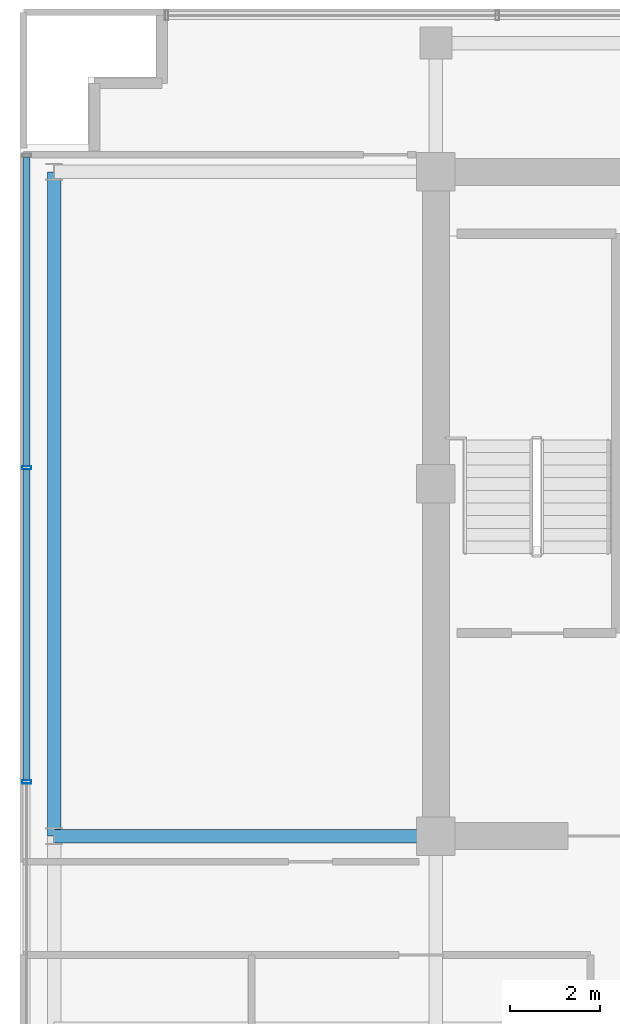
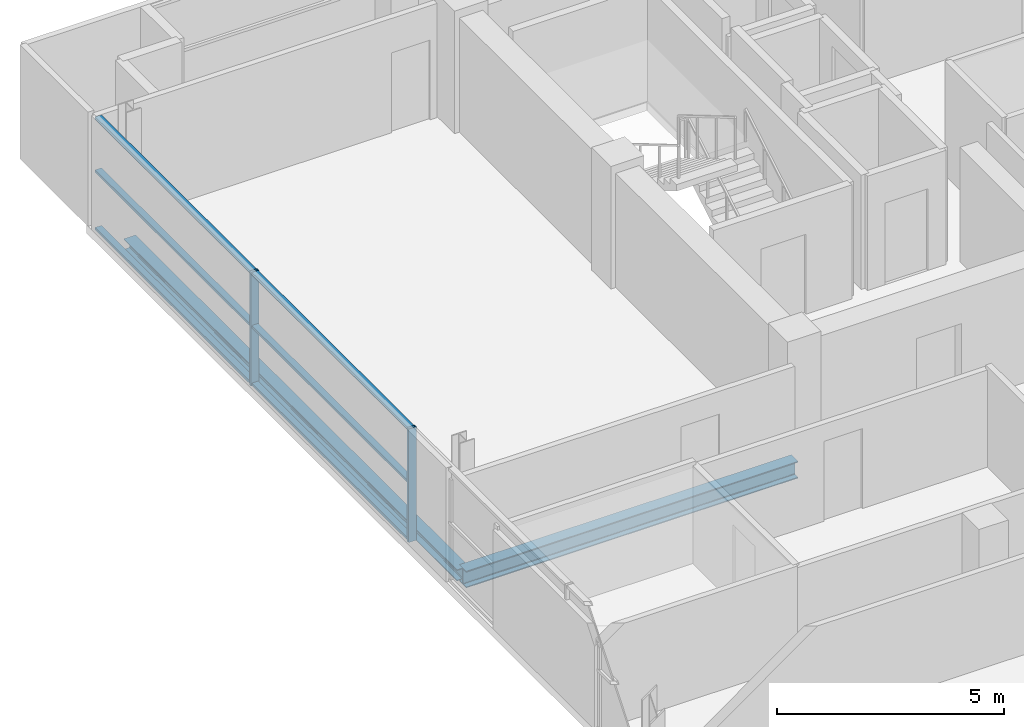
# One storey, part 9 of 23: 8 members, 2 beams, 1 element without a shape of its own.
"""IFC4 building model written with IfcOpenShell, lengths in metres."""

from ifc_helpers import new_model, si_unit, direction, frame, origin, origin_2d, place, context, subcontext, project, spatial, hollow_rectangle, i_section, extrude, source, transform, mapped, material, layer, layer_set, material_profile, profile_set, type_object, element, aggregate, save


model = new_model("IFC4")

# Units and contexts
model_context = context("Model", 3, precision=1e-05, world=origin(), true_north=direction((0.0, 1.0)))
body_context = subcontext(model_context, "Body", "Model", "MODEL_VIEW")
ifc_project = project(units=[si_unit("LENGTHUNIT", "METRE"), si_unit("AREAUNIT", "SQUARE_METRE"), si_unit("VOLUMEUNIT", "CUBIC_METRE"), si_unit("PLANEANGLEUNIT", "RADIAN"), si_unit("MASSUNIT", "GRAM", prefix="KILO")], contexts=[model_context])

# Site, building, storey
site_placement = place(None, origin())
site = spatial("IfcSite", under=ifc_project, at=site_placement, CompositionType="ELEMENT")
building_placement = place(site_placement, origin())
building = spatial("IfcBuilding", under=site, at=building_placement, Name="Zarnakvel Exchange Tower", CompositionType="ELEMENT")
storey_placement = place(building_placement, frame((0.0, 0.0, 212.199951171875)))
storey = spatial("IfcBuildingStorey", under=building, at=storey_placement, Name="L59", CompositionType="ELEMENT", Elevation=212.199951171875)

# Beams
ifc_material_1 = material(Name="Steel S355", Category="steel")
ifc_material_profile_1 = material_profile(ifc_material_1, i_section(OverallWidth=0.300048828125, OverallDepth=0.449951171875, WebThickness=0.013916015625, FlangeThickness=0.02587890625, FilletRadius=0.027099609375, at=origin_2d()))
ifc_profile_set_1 = profile_set([ifc_material_profile_1], Name="Steel S355")
beam_type_1 = type_object("IfcBeamType", Name="G-07", PredefinedType="BEAM", material=ifc_profile_set_1)
beam_1_placement = place(storey_placement, frame((-22.85009765625, -1.199951171875, -0.449951171875), z_axis=(1.0, 0.0, 0.0), x_axis=(0.0, 1.0, 0.0)))
element("IfcBeam", 1, at=beam_1_placement, inside=storey, type_object=beam_type_1, Name="L59 Tower E-W Frame Beam", PredefinedType="BEAM", context=body_context, shape_type="SweptSolid", body=[
    extrude(i_section(OverallWidth=0.300048828125, OverallDepth=0.449951171875, WebThickness=0.013916015625, FlangeThickness=0.02587890625, FilletRadius=0.027099609375, at=origin_2d()), origin(), (0.0, 0.0, 1.0), 8.4501953125),
])
ifc_material_profile_2 = material_profile(ifc_material_1, i_section(OverallWidth=0.300048828125, OverallDepth=0.300048828125, WebThickness=0.010986328125, FlangeThickness=0.01904296875, FilletRadius=0.027099609375, at=origin_2d()))
ifc_profile_set_2 = profile_set([ifc_material_profile_2], Name="Steel S355")
beam_type_2 = type_object("IfcBeamType", Name="SP-03", PredefinedType="SPANDREL", material=ifc_profile_set_2)
beam_2_placement = place(storey_placement, frame((-22.85009765625, -1.199951171875, -0.375), z_axis=(0.0, 1.0, 0.0), x_axis=(-1.0, 0.0, 0.0)))
element("IfcBeam", 2, at=beam_2_placement, inside=storey, type_object=beam_type_2, Name="L59 Tower N-S Frame Beam", PredefinedType="SPANDREL", context=body_context, shape_type="SweptSolid", body=[
    extrude(i_section(OverallWidth=0.300048828125, OverallDepth=0.300048828125, WebThickness=0.010986328125, FlangeThickness=0.01904296875, FilletRadius=0.027099609375, at=origin_2d()), origin(), (0.0, 0.0, 1.0), 14.699951171875),
])

# Curtain wall, members
ifc_material_2 = material(Name="Architectural Bronze Anodised Aluminium", Category="aluminium")
ifc_layer = layer(ifc_material_2, 0.199951171875)
ifc_layer_set = layer_set([ifc_layer], Name="Architectural Bronze Anodised Aluminium")
curtain_wall_type = type_object("IfcCurtainWallType", Name="CW-04", PredefinedType="NOTDEFINED", material=ifc_layer_set)
curtain_wall_placement = place(storey_placement, origin())
curtain_wall = element("IfcCurtainWall", 3, at=curtain_wall_placement, inside=storey, type_object=curtain_wall_type, Name="L59 Curtain Wall CW-L59-W1 (CW-04)", PredefinedType="NOTDEFINED")
ifc_material_profile_3 = material_profile(ifc_material_2, hollow_rectangle(XDim=0.199951171875, YDim=0.074951171875, WallThickness=0.0048828125, at=origin_2d()))
ifc_profile_set_3 = profile_set([ifc_material_profile_3], Name="Architectural Bronze Anodised Aluminium")
member_type_1 = type_object("IfcMemberType", Name="CWM-04", PredefinedType="MULLION", material=ifc_profile_set_3)
shared_shape_1 = source(origin(), body_context, "Body", "SweptSolid", [
    extrude(hollow_rectangle(XDim=0.199951171875, YDim=0.074951171875, WallThickness=0.0048828125, at=origin_2d()), origin(), (0.0, 0.0, 1.0), 3.054931640625),
])
member_1_placement = place(storey_placement, frame((-23.4599609375, 0.0, 0.0), z_axis=(0.0, 0.0, 1.0), x_axis=(-1.0, 0.0, 0.0)))
member_1 = element("IfcMember", 4, at=member_1_placement, type_object=member_type_1, Name="CW-04 mullion 3", PredefinedType="MULLION", context=body_context, shape_type="MappedRepresentation", body=[
    mapped(shared_shape_1, transform((0.0, 0.0, 0.0), x_axis=(1.0, 0.0, 0.0), y_axis=(0.0, 1.0, 0.0), z_axis=(0.0, 0.0, 1.0), scale=1.0)),
])
member_2_placement = place(storey_placement, frame((-23.4599609375, 6.949951171875, 0.0), z_axis=(0.0, 0.0, 1.0), x_axis=(-1.0, 0.0, 0.0)))
member_2 = element("IfcMember", 5, at=member_2_placement, type_object=member_type_1, Name="CW-04 mullion 4", PredefinedType="MULLION", context=body_context, shape_type="MappedRepresentation", body=[
    mapped(shared_shape_1, transform((0.0, 0.0, 0.0), x_axis=(1.0, 0.0, 0.0), y_axis=(0.0, 1.0, 0.0), z_axis=(0.0, 0.0, 1.0), scale=1.0)),
])
ifc_material_profile_4 = material_profile(ifc_material_2, hollow_rectangle(XDim=0.159912109375, YDim=0.074951171875, WallThickness=0.00390625, at=origin_2d()))
ifc_profile_set_4 = profile_set([ifc_material_profile_4], Name="Architectural Bronze Anodised Aluminium")
member_type_2 = type_object("IfcMemberType", Name="CWT-04", PredefinedType="USERDEFINED", material=ifc_profile_set_4)
shared_shape_2 = source(origin(), body_context, "Body", "SweptSolid", [
    extrude(hollow_rectangle(XDim=0.159912109375, YDim=0.074951171875, WallThickness=0.00390625, at=origin_2d()), origin(), (0.0, 0.0, 1.0), 6.83740234375),
])
member_3_placement = place(storey_placement, frame((-23.4599609375, 6.987548828125, 0.03759765625), z_axis=(0.0, 1.0, 0.0), x_axis=(-1.0, 0.0, 0.0)))
member_3 = element("IfcMember", 6, at=member_3_placement, type_object=member_type_2, Name="CW-04 transom 4.1", ObjectType="TRANSOM", PredefinedType="USERDEFINED", context=body_context, shape_type="MappedRepresentation", body=[
    mapped(shared_shape_2, transform((0.0, 0.0, 0.0), x_axis=(1.0, 0.0, 0.0), y_axis=(0.0, 1.0, 0.0), z_axis=(0.0, 0.0, 1.0), scale=1.0)),
])
member_4_placement = place(storey_placement, frame((-23.4599609375, 6.987548828125, 1.588623046875), z_axis=(0.0, 1.0, 0.0), x_axis=(-1.0, 0.0, 0.0)))
member_4 = element("IfcMember", 7, at=member_4_placement, type_object=member_type_2, Name="CW-04 transom 4.2", ObjectType="TRANSOM", PredefinedType="USERDEFINED", context=body_context, shape_type="MappedRepresentation", body=[
    mapped(shared_shape_2, transform((0.0, 0.0, 0.0), x_axis=(1.0, 0.0, 0.0), y_axis=(0.0, 1.0, 0.0), z_axis=(0.0, 0.0, 1.0), scale=1.0)),
])
member_5_placement = place(storey_placement, frame((-23.4599609375, 6.987548828125, 3.017578125), z_axis=(0.0, 1.0, 0.0), x_axis=(-1.0, 0.0, 0.0)))
member_5 = element("IfcMember", 8, at=member_5_placement, type_object=member_type_2, Name="CW-04 transom 4.3", ObjectType="TRANSOM", PredefinedType="USERDEFINED", context=body_context, shape_type="MappedRepresentation", body=[
    mapped(shared_shape_2, transform((0.0, 0.0, 0.0), x_axis=(1.0, 0.0, 0.0), y_axis=(0.0, 1.0, 0.0), z_axis=(0.0, 0.0, 1.0), scale=1.0)),
])
shared_shape_3 = source(origin(), body_context, "Body", "SweptSolid", [
    extrude(hollow_rectangle(XDim=0.159912109375, YDim=0.074951171875, WallThickness=0.00390625, at=origin_2d()), origin(), (0.0, 0.0, 1.0), 6.875),
])
member_6_placement = place(storey_placement, frame((-23.4599609375, 0.03759765625, 0.03759765625), z_axis=(0.0, 1.0, 0.0), x_axis=(-1.0, 0.0, 0.0)))
member_6 = element("IfcMember", 9, at=member_6_placement, type_object=member_type_2, Name="CW-04 transom 3.1", ObjectType="TRANSOM", PredefinedType="USERDEFINED", context=body_context, shape_type="MappedRepresentation", body=[
    mapped(shared_shape_3, transform((0.0, 0.0, 0.0), x_axis=(1.0, 0.0, 0.0), y_axis=(0.0, 1.0, 0.0), z_axis=(0.0, 0.0, 1.0), scale=1.0)),
])
member_7_placement = place(storey_placement, frame((-23.4599609375, 0.03759765625, 1.588623046875), z_axis=(0.0, 1.0, 0.0), x_axis=(-1.0, 0.0, 0.0)))
member_7 = element("IfcMember", 10, at=member_7_placement, type_object=member_type_2, Name="CW-04 transom 3.2", ObjectType="TRANSOM", PredefinedType="USERDEFINED", context=body_context, shape_type="MappedRepresentation", body=[
    mapped(shared_shape_3, transform((0.0, 0.0, 0.0), x_axis=(1.0, 0.0, 0.0), y_axis=(0.0, 1.0, 0.0), z_axis=(0.0, 0.0, 1.0), scale=1.0)),
])
member_8_placement = place(storey_placement, frame((-23.4599609375, 0.03759765625, 3.017578125), z_axis=(0.0, 1.0, 0.0), x_axis=(-1.0, 0.0, 0.0)))
member_8 = element("IfcMember", 11, at=member_8_placement, type_object=member_type_2, Name="CW-04 transom 3.3", ObjectType="TRANSOM", PredefinedType="USERDEFINED", context=body_context, shape_type="MappedRepresentation", body=[
    mapped(shared_shape_3, transform((0.0, 0.0, 0.0), x_axis=(1.0, 0.0, 0.0), y_axis=(0.0, 1.0, 0.0), z_axis=(0.0, 0.0, 1.0), scale=1.0)),
])
aggregate(curtain_wall, [member_1, member_2, member_6, member_7, member_8, member_3, member_4, member_5])

save(model, "model.ifc")
